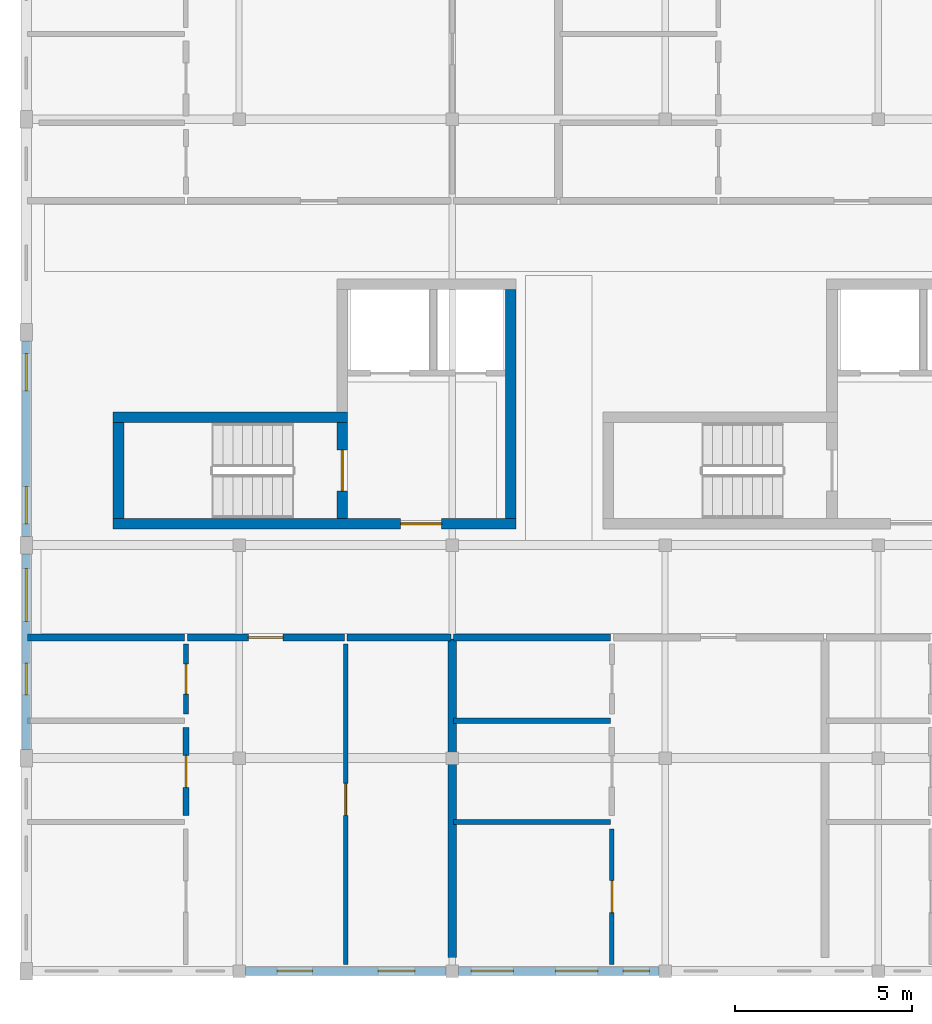
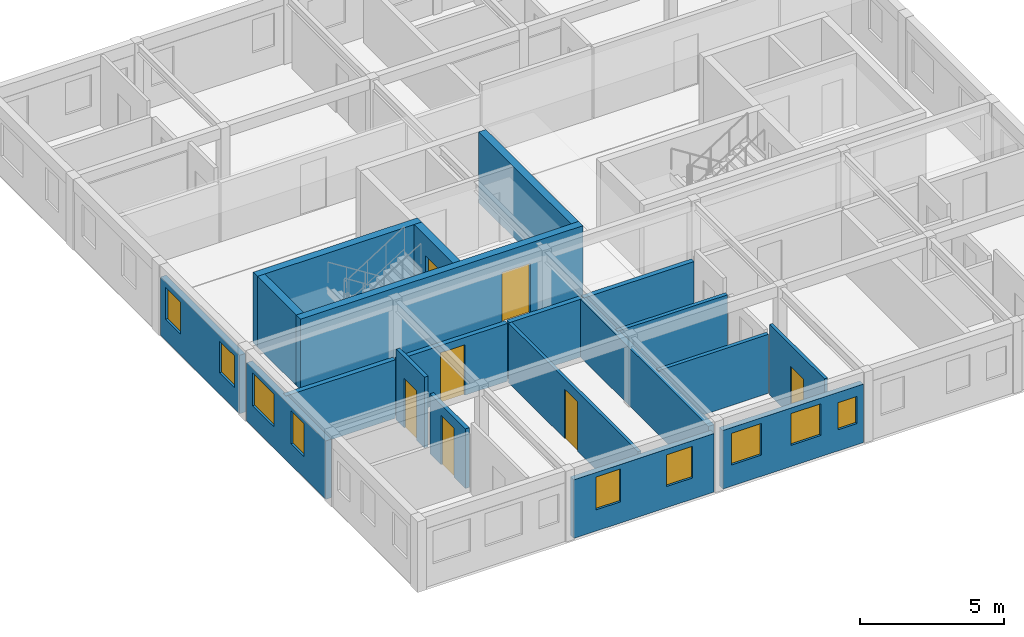
# One storey, part 2 of 7: 20 walls, 9 windows, 7 doors, 16 openings.
"""IFC4 building model written with IfcOpenShell, lengths in metres."""

import ifcopenshell
import ifcopenshell.guid

model = None  # the IFC model being written
_history = None  # IfcOwnerHistory: only IFC2X3 demands one
_inside = {}  # id of a spatial element -> (the spatial element, [elements in it])
_under = {}  # id of a project, library or spatial element -> (it, [spatial elements below it])
_declared = {}  # id of a project -> (the project, [libraries it declares])
_typed = {}  # id of a type object -> (the type object, [elements of that type])
_made_of = {}  # id of a material, layer set ... -> (it, [elements and type objects made of it])


def new_model(schema):
    """Start an empty IFC model of exactly this schema.

    Asked for "IFC4X3", IfcOpenShell would pick the latest addendum, in which some entities
    have other attributes; the version numbers below select the first issue.
    IFC2X3 requires an IfcOwnerHistory on every rooted entity: one is made here for all.
    """
    global model, _history
    if schema == "IFC4X3":
        model = ifcopenshell.file(schema_version=(4, 3, 0, 0))
    else:
        model = ifcopenshell.file(schema=schema)
    _inside.clear()
    _under.clear()
    _declared.clear()
    _typed.clear()
    _made_of.clear()
    _history = None
    if model.schema == "IFC2X3":
        org = make("IfcOrganization", Name="unknown")
        user = make(
            "IfcPersonAndOrganization",
            ThePerson=make("IfcPerson", FamilyName="unknown"),
            TheOrganization=org,
        )
        app = make(
            "IfcApplication",
            ApplicationDeveloper=org,
            Version="unknown",
            ApplicationFullName="unknown",
            ApplicationIdentifier="unknown",
        )
        _history = make(
            "IfcOwnerHistory",
            OwningUser=user,
            OwningApplication=app,
            ChangeAction="ADDED",
            CreationDate=0,
        )
    return model


def make(cls, **values):
    """One entity of the class cls with the attributes given. An attribute that is None is left unset."""
    return model.create_entity(
        cls, **{name: value for name, value in values.items() if value is not None}
    )


def rooted(cls, **values):
    """An entity with a GlobalId (a new one), such as an element, a storey or a relation."""
    return make(cls, GlobalId=ifcopenshell.guid.new(), OwnerHistory=_history, **values)


def si_unit(unit_type, name, prefix=None):
    """IfcSIUnit, for example si_unit("LENGTHUNIT", "METRE", prefix="MILLI")."""
    return make("IfcSIUnit", UnitType=unit_type, Prefix=prefix, Name=name)


def assignment(units):
    """IfcUnitAssignment: the units of a project."""
    return None if units is None else make("IfcUnitAssignment", Units=units)


def point(xyz):
    """IfcCartesianPoint."""
    return None if xyz is None else make("IfcCartesianPoint", Coordinates=xyz)


def direction(xyz):
    """IfcDirection."""
    return None if xyz is None else make("IfcDirection", DirectionRatios=xyz)


def frame(location, z_axis=None, x_axis=None):
    """IfcAxis2Placement3D, a coordinate frame: its origin and axes. An axis left out is left unset."""
    return make(
        "IfcAxis2Placement3D",
        Location=point(location),
        Axis=direction(z_axis),
        RefDirection=direction(x_axis),
    )


def frame_2d(location, x_axis=None):
    """IfcAxis2Placement2D, a coordinate frame in the plane: its origin and x axis."""
    return make(
        "IfcAxis2Placement2D", Location=point(location), RefDirection=direction(x_axis)
    )


def origin():
    """The frame at (0, 0, 0) with its axes left unset."""
    return frame((0.0, 0.0, 0.0))


def place(relative_to, where):
    """IfcLocalPlacement: puts the frame where relative to a parent placement (None: the world)."""
    return make(
        "IfcLocalPlacement", PlacementRelTo=relative_to, RelativePlacement=where
    )


def context(
    kind, dimensions, precision=None, world=None, true_north=None, identifier=None
):
    """IfcGeometricRepresentationContext, for example the 3D "Model" context."""
    return make(
        "IfcGeometricRepresentationContext",
        ContextIdentifier=identifier,
        ContextType=kind,
        CoordinateSpaceDimension=dimensions,
        Precision=precision,
        WorldCoordinateSystem=world,
        TrueNorth=true_north,
    )


def subcontext(parent, identifier, kind, view, scale=None):
    """IfcGeometricRepresentationSubContext, for example "Body" below "Model"."""
    return make(
        "IfcGeometricRepresentationSubContext",
        ContextIdentifier=identifier,
        ContextType=kind,
        ParentContext=parent,
        TargetScale=scale,
        TargetView=view,
    )


def project(units=None, contexts=None):
    """IfcProject with its units and contexts."""
    return rooted(
        "IfcProject",
        Name="project",
        RepresentationContexts=contexts,
        UnitsInContext=assignment(units),
    )


def spatial(cls, under=None, at=None, **own):
    """A site, building, storey or space (cls), placed at a placement, below another one or the project."""
    s = rooted(cls, ObjectPlacement=at, **own)
    if under is not None:
        _under.setdefault(under.id(), (under, []))[1].append(s)
    return s


def profile(cls, at=None, kind="AREA", **sizes):
    """A parametric profile (cls). Its sizes go by their IFC names, for example OverallWidth=200.0."""
    return make(cls, ProfileType=kind, Position=at, **sizes)


def rectangle(**sizes):
    """IfcRectangleProfileDef."""
    return profile("IfcRectangleProfileDef", **sizes)


def extrude(swept, where, along, depth):
    """IfcExtrudedAreaSolid: the profile swept, set in the frame where, extruded along a direction by depth."""
    return make(
        "IfcExtrudedAreaSolid",
        SweptArea=swept,
        Position=where,
        ExtrudedDirection=direction(along),
        Depth=depth,
    )


def shape(context_of_items, identifier, shape_type, items):
    """IfcShapeRepresentation: the items that make up one representation, for example the "Body"."""
    return make(
        "IfcShapeRepresentation",
        ContextOfItems=context_of_items,
        RepresentationIdentifier=identifier,
        RepresentationType=shape_type,
        Items=items,
    )


def material(Name=None, Category=None):
    """IfcMaterial."""
    return make("IfcMaterial", Name=Name, Category=Category)


def layer(
    of_material, thickness, ventilated=None, Name=None, Category=None, Priority=None
):
    """IfcMaterialLayer: one layer of a wall or slab, of a material (None: an air gap)."""
    return make(
        "IfcMaterialLayer",
        Material=of_material,
        LayerThickness=thickness,
        IsVentilated=ventilated,
        Name=Name,
        Category=Category,
        Priority=Priority,
    )


def layer_set(layers, Name=None):
    """IfcMaterialLayerSet."""
    return make("IfcMaterialLayerSet", MaterialLayers=layers, LayerSetName=Name)


def made_of(thing, what):
    """Note that an element or type object is made of a material, layer set ...; save() writes the relation."""
    if what is not None:
        _made_of.setdefault(what.id(), (what, []))[1].append(thing)
    return thing


def type_object(cls, material=None, **own):
    """A type object (cls), such as IfcWallType, which elements share."""
    return made_of(rooted(cls, **own), material)


def element(
    cls,
    number,
    at=None,
    inside=None,
    cuts=None,
    type_object=None,
    material=None,
    context=None,
    identifier="Body",
    shape_type=None,
    held_by="IfcProductDefinitionShape",
    body=None,
    shapes=None,
    **own,
):
    """One element of the class cls, such as IfcWall. Its Tag is "e" and its number.

    at: its placement. inside: the storey or other place that contains it. cuts: it is an
    opening in that element (IfcRelVoidsElement). A single representation is given by context,
    identifier, shape_type and body (its items); several are given by shapes. held_by: the class
    of the entity that holds the representations. save() writes the other relations.
    """
    e = rooted(cls, Tag="e%d" % number, ObjectPlacement=at, **own)
    if body is not None:
        shapes = [shape(context, identifier, shape_type, body)]
    if shapes is not None:
        e.Representation = make(held_by, Representations=shapes)
    if inside is not None:
        _inside.setdefault(inside.id(), (inside, []))[1].append(e)
    if cuts is not None:
        rooted(
            "IfcRelVoidsElement", RelatingBuildingElement=cuts, RelatedOpeningElement=e
        )
    if type_object is not None:
        _typed.setdefault(type_object.id(), (type_object, []))[1].append(e)
    return made_of(e, material)


def fill(opening, filler):
    """IfcRelFillsElement: the door or window that sits in an opening."""
    return rooted(
        "IfcRelFillsElement",
        RelatingOpeningElement=opening,
        RelatedBuildingElement=filler,
    )


def aggregate(whole, parts):
    """IfcRelAggregates: a whole, such as a stair, and the parts it consists of."""
    return rooted("IfcRelAggregates", RelatingObject=whole, RelatedObjects=parts)


def save(model, path):
    """Write the relations noted so far, then the file.

    IfcRelAggregates (storeys below a building ...), IfcRelContainedInSpatialStructure (elements
    in a storey), IfcRelDefinesByType, IfcRelAssociatesMaterial and IfcRelDeclares: one each for
    every whole, place, type object, material and project.
    """
    for whole, parts in _under.values():
        aggregate(whole, parts)
    for where, things in _inside.values():
        rooted(
            "IfcRelContainedInSpatialStructure",
            RelatedElements=things,
            RelatingStructure=where,
        )
    for kind, things in _typed.values():
        rooted("IfcRelDefinesByType", RelatedObjects=things, RelatingType=kind)
    for what, things in _made_of.values():
        rooted("IfcRelAssociatesMaterial", RelatedObjects=things, RelatingMaterial=what)
    for by, libraries in _declared.values():
        rooted("IfcRelDeclares", RelatingContext=by, RelatedDefinitions=libraries)
    model.write(path)


model = new_model("IFC4")

# Units and contexts
model_context = context("Model", 3, precision=1e-05, world=origin(), true_north=direction((0.0, 1.0)))
body_context = subcontext(model_context, "Body", "Model", "MODEL_VIEW")
ifc_project = project(units=[si_unit("LENGTHUNIT", "METRE"), si_unit("AREAUNIT", "SQUARE_METRE"), si_unit("VOLUMEUNIT", "CUBIC_METRE"), si_unit("PLANEANGLEUNIT", "RADIAN"), si_unit("MASSUNIT", "GRAM", prefix="KILO"), si_unit("POWERUNIT", "WATT"), si_unit("THERMODYNAMICTEMPERATUREUNIT", "KELVIN")], contexts=[model_context])

# Site, building, storey
site_placement = place(None, origin())
site = spatial("IfcSite", under=ifc_project, at=site_placement, CompositionType="ELEMENT")
building_placement = place(site_placement, origin())
building = spatial("IfcBuilding", under=site, at=building_placement, Name="Ruvembo Vaulted Housing Court", CompositionType="ELEMENT")
storey_placement = place(building_placement, frame((0.0, 0.0, 42.89990234375)))
storey = spatial("IfcBuildingStorey", under=building, at=storey_placement, Name="L13", CompositionType="ELEMENT", Elevation=42.89990234375)

# Wall, opening, door
ifc_material_1 = material(Name="Concrete C35/45", Category="concrete")
ifc_layer_1 = layer(ifc_material_1, 0.300048828125, Name="Concrete C35/45")
ifc_layer_set_1 = layer_set([ifc_layer_1], Name="Concrete C35/45")
wall_type_1 = type_object("IfcWallType", Name="WL-CORE-300", PredefinedType="SHEAR", material=ifc_layer_set_1)
wall_1_placement = place(storey_placement, frame((2.449951171875, 18.60009765625, 0.0), z_axis=(0.0, 0.0, 1.0), x_axis=(1.0, 0.0, 0.0)))
wall_1 = element("IfcWall", 1, at=wall_1_placement, inside=storey, type_object=wall_type_1, Name="Core A1 L13 South Shear Wall", PredefinedType="SHEAR", context=body_context, shape_type="SweptSolid", body=[
    extrude(rectangle(XDim=11.35009765625, YDim=0.300048828125, at=frame_2d((5.675048828125, 0.0))), origin(), (0.0, 0.0, 1.0), 3.005126953125),
])
opening_1_placement = place(wall_1_placement, frame((8.10009765625, 0.0, 0.0)))
opening_1 = element("IfcOpeningElement", 2, at=opening_1_placement, cuts=wall_1, Name="Opening LD0", PredefinedType="OPENING", context=body_context, shape_type="SweptSolid", body=[
    extrude(rectangle(XDim=1.14990234375, YDim=2.14990234375, at=frame_2d((0.574951171875, 1.074951171875))), frame((0.0, 0.159912109375, 0.0), z_axis=(0.0, -1.0, 0.0), x_axis=(1.0, 0.0, 0.0)), (0.0, 0.0, 1.0), 0.320068359375),
])
ifc_material_2 = material(Name="Galvanised Painted Steel", Category="steel")
door_type_1 = type_object("IfcDoorType", Name="DR-LOB-1150x2150", OperationType="NOTDEFINED", PredefinedType="DOOR", material=ifc_material_2)
door_1_placement = place(opening_1_placement, origin())
door_1 = element("IfcDoor", 3, at=door_1_placement, inside=storey, type_object=door_type_1, Name="Core A1 L13 Lobby Fire Door", OperationType="SINGLE_SWING_LEFT", OverallHeight=2.14990234375, OverallWidth=1.14990234375, PredefinedType="DOOR", context=body_context, shape_type="SweptSolid", body=[
    extrude(rectangle(XDim=1.14990234375, YDim=2.14990234375, at=frame_2d((0.574951171875, 1.074951171875))), frame((0.0, 0.02490234375, 0.0), z_axis=(0.0, -1.0, 0.0), x_axis=(1.0, 0.0, 0.0)), (0.0, 0.0, 1.0), 0.050048828125),
])
fill(opening_1, door_1)

# Walls
wall_2_placement = place(storey_placement, frame((9.050048828125, 21.60009765625, 0.0), z_axis=(0.0, 0.0, 1.0), x_axis=(-1.0, 0.0, 0.0)))
element("IfcWall", 4, at=wall_2_placement, inside=storey, type_object=wall_type_1, Name="Core A1 L13 Stair North Shear Wall", PredefinedType="SHEAR", context=body_context, shape_type="SweptSolid", body=[
    extrude(rectangle(XDim=6.60009765625, YDim=0.300048828125, at=frame_2d((3.300048828125, 0.0))), origin(), (0.0, 0.0, 1.0), 3.005126953125),
])
wall_3_placement = place(storey_placement, frame((2.60009765625, 21.449951171875, 0.0), z_axis=(0.0, 0.0, 1.0), x_axis=(0.0, -1.0, 0.0)))
element("IfcWall", 5, at=wall_3_placement, inside=storey, type_object=wall_type_1, Name="Core A1 L13 Stair West Shear Wall", PredefinedType="SHEAR", context=body_context, shape_type="SweptSolid", body=[
    extrude(rectangle(XDim=2.699951171875, YDim=0.300048828125, at=frame_2d((1.35009765625, 0.0))), origin(), (0.0, 0.0, 1.0), 3.005126953125),
])

# Wall, opening, door
wall_4_placement = place(storey_placement, frame((8.89990234375, 18.75, 0.0), z_axis=(0.0, 0.0, 1.0), x_axis=(0.0, 1.0, 0.0)))
wall_4 = element("IfcWall", 6, at=wall_4_placement, inside=storey, type_object=wall_type_1, Name="Core A1 L13 Stair-Lobby Shear Wall", PredefinedType="SHEAR", context=body_context, shape_type="SweptSolid", body=[
    extrude(rectangle(XDim=2.699951171875, YDim=0.300048828125, at=frame_2d((1.35009765625, 0.0))), origin(), (0.0, 0.0, 1.0), 3.005126953125),
])
opening_2_placement = place(wall_4_placement, frame((0.77490234375, 0.0, 0.0)))
opening_2 = element("IfcOpeningElement", 7, at=opening_2_placement, cuts=wall_4, Name="Opening SD1", PredefinedType="OPENING", context=body_context, shape_type="SweptSolid", body=[
    extrude(rectangle(XDim=1.14990234375, YDim=2.14990234375, at=frame_2d((0.574951171875, 1.074951171875))), frame((0.0, 0.159912109375, 0.0), z_axis=(0.0, -1.0, 0.0), x_axis=(1.0, 0.0, 0.0)), (0.0, 0.0, 1.0), 0.320068359375),
])
door_type_2 = type_object("IfcDoorType", Name="DR-STAIR-1150x2150", OperationType="NOTDEFINED", PredefinedType="DOOR", material=ifc_material_2)
door_2_placement = place(opening_2_placement, origin())
door_2 = element("IfcDoor", 8, at=door_2_placement, inside=storey, type_object=door_type_2, Name="Stair ST-A1 L13 Fire Door", OperationType="SINGLE_SWING_RIGHT", OverallHeight=2.14990234375, OverallWidth=1.14990234375, PredefinedType="DOOR", context=body_context, shape_type="SweptSolid", body=[
    extrude(rectangle(XDim=1.14990234375, YDim=2.14990234375, at=frame_2d((0.574951171875, 1.074951171875))), frame((0.0, 0.02490234375, 0.0), z_axis=(0.0, -1.0, 0.0), x_axis=(1.0, 0.0, 0.0)), (0.0, 0.0, 1.0), 0.050048828125),
])
fill(opening_2, door_2)

# Walls
wall_5_placement = place(storey_placement, frame((13.64990234375, 18.75, 0.0), z_axis=(0.0, 0.0, 1.0), x_axis=(0.0, 1.0, 0.0)))
element("IfcWall", 9, at=wall_5_placement, inside=storey, type_object=wall_type_1, Name="Core A1 L13 East Shear Wall", PredefinedType="SHEAR", context=body_context, shape_type="SweptSolid", body=[
    extrude(rectangle(XDim=6.449951171875, YDim=0.300048828125, at=frame_2d((3.22509765625, 0.0))), origin(), (0.0, 0.0, 1.0), 3.005126953125),
])
ifc_material_3 = material(Name="Concrete Blockwork 190", Category="masonry")
ifc_layer_2 = layer(ifc_material_3, 0.18994140625, Name="Concrete Blockwork 190")
ifc_layer_set_2 = layer_set([ifc_layer_2], Name="Concrete Blockwork 190")
wall_type_2 = type_object("IfcWallType", Name="WL-CORR-190", PredefinedType="SOLIDWALL", material=ifc_layer_set_2)
wall_6_placement = place(storey_placement, frame((0.0400390625, 15.39990234375, 0.0), z_axis=(0.0, 0.0, 1.0), x_axis=(1.0, 0.0, 0.0)))
element("IfcWall", 10, at=wall_6_placement, inside=storey, type_object=wall_type_2, Name="L13 Flat A-L13-S1 Corridor Wall WL-INT-L13-02351", PredefinedType="SOLIDWALL", context=body_context, shape_type="SweptSolid", body=[
    extrude(rectangle(XDim=4.419921875, YDim=0.18994140625, at=frame_2d((2.2099609375, 0.0))), origin(), (0.0, 0.0, 1.0), 2.487060546875),
])

# Wall, opening, door
wall_7_placement = place(storey_placement, frame((4.5400390625, 15.39990234375, 0.0), z_axis=(0.0, 0.0, 1.0), x_axis=(1.0, 0.0, 0.0)))
wall_7 = element("IfcWall", 11, at=wall_7_placement, inside=storey, type_object=wall_type_2, Name="L13 Flat A-L13-S1 Entrance WL-INT-L13-02352", PredefinedType="SOLIDWALL", context=body_context, shape_type="SweptSolid", body=[
    extrude(rectangle(XDim=4.419921875, YDim=0.18994140625, at=frame_2d((2.2099609375, 0.0))), origin(), (0.0, 0.0, 1.0), 2.4580078125),
])
opening_3_placement = place(wall_7_placement, frame((1.719970703125, 0.0, 0.0)))
opening_3 = element("IfcOpeningElement", 12, at=opening_3_placement, cuts=wall_7, Name="Opening FD2", PredefinedType="OPENING", context=body_context, shape_type="SweptSolid", body=[
    extrude(rectangle(XDim=0.97998046875, YDim=2.14990234375, at=frame_2d((0.489990234375, 1.074951171875))), frame((0.0, 0.10498046875, 0.0), z_axis=(0.0, -1.0, 0.0), x_axis=(1.0, 0.0, 0.0)), (0.0, 0.0, 1.0), 0.2099609375),
])
ifc_material_4 = material(Name="FSC Hardwood and Engineered Timber", Category="wood")
door_type_3 = type_object("IfcDoorType", Name="DR-FLAT-0980x2150", OperationType="NOTDEFINED", PredefinedType="DOOR", material=ifc_material_4)
door_3_placement = place(opening_3_placement, origin())
door_3 = element("IfcDoor", 13, at=door_3_placement, inside=storey, type_object=door_type_3, Name="L13 Flat A-L13-S1 Entrance Door DR-INT-L13-01300", OperationType="SINGLE_SWING_RIGHT", OverallHeight=2.14990234375, OverallWidth=0.97998046875, PredefinedType="DOOR", context=body_context, shape_type="SweptSolid", body=[
    extrude(rectangle(XDim=0.97998046875, YDim=2.14990234375, at=frame_2d((0.489990234375, 1.074951171875))), frame((0.0, 0.02490234375, 0.0), z_axis=(0.0, -1.0, 0.0), x_axis=(1.0, 0.0, 0.0)), (0.0, 0.0, 1.0), 0.050048828125),
])
fill(opening_3, door_3)

# Walls
wall_8_placement = place(storey_placement, frame((9.0400390625, 15.39990234375, 0.0), z_axis=(0.0, 0.0, 1.0), x_axis=(1.0, 0.0, 0.0)))
element("IfcWall", 14, at=wall_8_placement, inside=storey, type_object=wall_type_2, Name="L13 Flat A-L13-S1 Corridor Wall 2 WL-INT-L13-02358", PredefinedType="SOLIDWALL", context=body_context, shape_type="SweptSolid", body=[
    extrude(rectangle(XDim=2.919921875, YDim=0.18994140625, at=frame_2d((1.4599609375, 0.0))), origin(), (0.0, 0.0, 1.0), 2.4580078125),
])
wall_9_placement = place(storey_placement, frame((12.0400390625, 15.39990234375, 0.0), z_axis=(0.0, 0.0, 1.0), x_axis=(1.0, 0.0, 0.0)))
element("IfcWall", 15, at=wall_9_placement, inside=storey, type_object=wall_type_2, Name="L13 Flat A-L13-S2 Corridor Wall WL-INT-L13-02361", PredefinedType="SOLIDWALL", context=body_context, shape_type="SweptSolid", body=[
    extrude(rectangle(XDim=4.419921875, YDim=0.18994140625, at=frame_2d((2.2099609375, 0.0))), origin(), (0.0, 0.0, 1.0), 2.4580078125),
])
ifc_material_5 = material(Name="Acoustic Masonry Demising 230", Category="masonry")
ifc_layer_3 = layer(ifc_material_5, 0.22998046875, Name="Acoustic Masonry Demising 230")
ifc_layer_set_3 = layer_set([ifc_layer_3], Name="Acoustic Masonry Demising 230")
wall_type_3 = type_object("IfcWallType", Name="WL-DEM-230", PredefinedType="SOLIDWALL", material=ifc_layer_set_3)
wall_10_placement = place(storey_placement, frame((12.0, 6.389892578125, 0.0), z_axis=(0.0, 0.0, 1.0), x_axis=(0.0, 1.0, 0.0)))
element("IfcWall", 16, at=wall_10_placement, inside=storey, type_object=wall_type_3, Name="L13 Demising A-L13-S1 WL-INT-L13-02350", PredefinedType="SOLIDWALL", context=body_context, shape_type="SweptSolid", body=[
    extrude(rectangle(XDim=8.97021484375, YDim=0.22998046875, at=frame_2d((4.485107421875, 0.0))), origin(), (0.0, 0.0, 1.0), 2.4580078125),
])

# Wall, openings, windows
ifc_material_6 = material(Name="Rendered Masonry 235", Category="masonry")
ifc_layer_4 = layer(ifc_material_6, 0.235107421875, Name="Rendered Masonry 235")
ifc_layer_set_4 = layer_set([ifc_layer_4], Name="Rendered Masonry 235")
wall_type_4 = type_object("IfcWallType", Name="WL-EXT-235", PredefinedType="STANDARD", material=ifc_layer_set_4)
wall_11_placement = place(storey_placement, frame((6.175048828125, 6.0, 0.0), z_axis=(0.0, 0.0, 1.0), x_axis=(1.0, 0.0, 0.0)))
wall_11 = element("IfcWall", 17, at=wall_11_placement, inside=storey, type_object=wall_type_4, Name="Block A L13 Exterior Wall STREET #2", PredefinedType="STANDARD", context=body_context, shape_type="SweptSolid", body=[
    extrude(rectangle(XDim=5.64990234375, YDim=0.235107421875, at=frame_2d((2.824951171875, 0.0))), origin(), (0.0, 0.0, 1.0), 2.487060546875),
])
opening_4_placement = place(wall_11_placement, frame((0.892578125, 0.0, 0.89990234375)))
opening_4 = element("IfcOpeningElement", 18, at=opening_4_placement, cuts=wall_11, Name="Opening W08", PredefinedType="OPENING", context=body_context, shape_type="SweptSolid", body=[
    extrude(rectangle(XDim=1.0, YDim=1.39990234375, at=frame_2d((0.5, 0.699951171875))), frame((0.0, 0.12744140625, 0.0), z_axis=(0.0, -1.0, 0.0), x_axis=(1.0, 0.0, 0.0)), (0.0, 0.0, 1.0), 0.255126953125),
])
opening_5_placement = place(wall_11_placement, frame((3.732421875, 0.0, 0.89990234375)))
opening_5 = element("IfcOpeningElement", 19, at=opening_5_placement, cuts=wall_11, Name="Opening W09", PredefinedType="OPENING", context=body_context, shape_type="SweptSolid", body=[
    extrude(rectangle(XDim=1.050048828125, YDim=1.35009765625, at=frame_2d((0.52490234375, 0.675048828125))), frame((0.0, 0.12744140625, 0.0), z_axis=(0.0, -1.0, 0.0), x_axis=(1.0, 0.0, 0.0)), (0.0, 0.0, 1.0), 0.255126953125),
])
ifc_material_7 = material(Name="Double Solar-Control Glazing in Aluminium Frame", Category="aluminium")
window_type_1 = type_object("IfcWindowType", Name="WIN-1000x1400", PartitioningType="SINGLE_PANEL", PredefinedType="WINDOW", material=ifc_material_7)
window_1_placement = place(opening_4_placement, origin())
window_1 = element("IfcWindow", 20, at=window_1_placement, inside=storey, type_object=window_type_1, Name="Block A L13 Window #560", OverallHeight=1.39990234375, OverallWidth=1.0, PartitioningType="SINGLE_PANEL", PredefinedType="WINDOW", context=body_context, shape_type="SweptSolid", body=[
    extrude(rectangle(XDim=1.0, YDim=1.39990234375, at=frame_2d((0.5, 0.699951171875))), frame((0.0, 0.030029296875, 0.0), z_axis=(0.0, -1.0, 0.0), x_axis=(1.0, 0.0, 0.0)), (0.0, 0.0, 1.0), 0.06005859375),
])
fill(opening_4, window_1)
window_type_2 = type_object("IfcWindowType", Name="WIN-1050x1350", PartitioningType="SINGLE_PANEL", PredefinedType="WINDOW", material=ifc_material_7)
window_2_placement = place(opening_5_placement, origin())
window_2 = element("IfcWindow", 21, at=window_2_placement, inside=storey, type_object=window_type_2, Name="Block A L13 Window #561", OverallHeight=1.35009765625, OverallWidth=1.050048828125, PartitioningType="SINGLE_PANEL", PredefinedType="WINDOW", context=body_context, shape_type="SweptSolid", body=[
    extrude(rectangle(XDim=1.050048828125, YDim=1.35009765625, at=frame_2d((0.52490234375, 0.675048828125))), frame((0.0, 0.030029296875, 0.0), z_axis=(0.0, -1.0, 0.0), x_axis=(1.0, 0.0, 0.0)), (0.0, 0.0, 1.0), 0.06005859375),
])
fill(opening_5, window_2)

wall_12_placement = place(storey_placement, frame((12.175048828125, 6.0, 0.0), z_axis=(0.0, 0.0, 1.0), x_axis=(1.0, 0.0, 0.0)))
wall_12 = element("IfcWall", 22, at=wall_12_placement, inside=storey, type_object=wall_type_4, Name="Block A L13 Exterior Wall STREET #3", PredefinedType="STANDARD", context=body_context, shape_type="SweptSolid", body=[
    extrude(rectangle(XDim=5.64990234375, YDim=0.235107421875, at=frame_2d((2.824951171875, 0.0))), origin(), (0.0, 0.0, 1.0), 2.487060546875),
])
opening_6_placement = place(wall_12_placement, frame((0.35009765625, 0.0, 0.89990234375)))
opening_6 = element("IfcOpeningElement", 23, at=opening_6_placement, cuts=wall_12, Name="Opening W12", PredefinedType="OPENING", context=body_context, shape_type="SweptSolid", body=[
    extrude(rectangle(XDim=1.199951171875, YDim=1.35009765625, at=frame_2d((0.60009765625, 0.675048828125))), frame((0.0, 0.12744140625, 0.0), z_axis=(0.0, -1.0, 0.0), x_axis=(1.0, 0.0, 0.0)), (0.0, 0.0, 1.0), 0.255126953125),
])
opening_7_placement = place(wall_12_placement, frame((2.735107421875, 0.0, 0.89990234375)))
opening_7 = element("IfcOpeningElement", 24, at=opening_7_placement, cuts=wall_12, Name="Opening W12", PredefinedType="OPENING", context=body_context, shape_type="SweptSolid", body=[
    extrude(rectangle(XDim=1.199951171875, YDim=1.35009765625, at=frame_2d((0.60009765625, 0.675048828125))), frame((0.0, 0.12744140625, 0.0), z_axis=(0.0, -1.0, 0.0), x_axis=(1.0, 0.0, 0.0)), (0.0, 0.0, 1.0), 0.255126953125),
])
opening_8_placement = place(wall_12_placement, frame((4.632568359375, 0.0, 0.89990234375)))
opening_8 = element("IfcOpeningElement", 25, at=opening_8_placement, cuts=wall_12, Name="Opening W01", PredefinedType="OPENING", context=body_context, shape_type="SweptSolid", body=[
    extrude(rectangle(XDim=0.75, YDim=1.14990234375, at=frame_2d((0.375, 0.574951171875))), frame((0.0, 0.12744140625, 0.0), z_axis=(0.0, -1.0, 0.0), x_axis=(1.0, 0.0, 0.0)), (0.0, 0.0, 1.0), 0.255126953125),
])
window_type_3 = type_object("IfcWindowType", Name="WIN-0750x1150", PartitioningType="SINGLE_PANEL", PredefinedType="WINDOW", material=ifc_material_7)
window_3_placement = place(opening_8_placement, origin())
window_3 = element("IfcWindow", 26, at=window_3_placement, inside=storey, type_object=window_type_3, Name="Block A L13 Window #564", OverallHeight=1.14990234375, OverallWidth=0.75, PartitioningType="SINGLE_PANEL", PredefinedType="WINDOW", context=body_context, shape_type="SweptSolid", body=[
    extrude(rectangle(XDim=0.75, YDim=1.14990234375, at=frame_2d((0.375, 0.574951171875))), frame((0.0, 0.030029296875, 0.0), z_axis=(0.0, -1.0, 0.0), x_axis=(1.0, 0.0, 0.0)), (0.0, 0.0, 1.0), 0.06005859375),
])
fill(opening_8, window_3)
window_type_4 = type_object("IfcWindowType", Name="WIN-1200x1350", PartitioningType="SINGLE_PANEL", PredefinedType="WINDOW", material=ifc_material_7)
window_4_placement = place(opening_6_placement, origin())
window_4 = element("IfcWindow", 27, at=window_4_placement, inside=storey, type_object=window_type_4, Name="Block A L13 Window #562", OverallHeight=1.35009765625, OverallWidth=1.199951171875, PartitioningType="SINGLE_PANEL", PredefinedType="WINDOW", context=body_context, shape_type="SweptSolid", body=[
    extrude(rectangle(XDim=1.199951171875, YDim=1.35009765625, at=frame_2d((0.60009765625, 0.675048828125))), frame((0.0, 0.030029296875, 0.0), z_axis=(0.0, -1.0, 0.0), x_axis=(1.0, 0.0, 0.0)), (0.0, 0.0, 1.0), 0.06005859375),
])
fill(opening_6, window_4)
window_5_placement = place(opening_7_placement, origin())
window_5 = element("IfcWindow", 28, at=window_5_placement, inside=storey, type_object=window_type_4, Name="Block A L13 Window #563", OverallHeight=1.35009765625, OverallWidth=1.199951171875, PartitioningType="SINGLE_PANEL", PredefinedType="WINDOW", context=body_context, shape_type="SweptSolid", body=[
    extrude(rectangle(XDim=1.199951171875, YDim=1.35009765625, at=frame_2d((0.60009765625, 0.675048828125))), frame((0.0, 0.030029296875, 0.0), z_axis=(0.0, -1.0, 0.0), x_axis=(1.0, 0.0, 0.0)), (0.0, 0.0, 1.0), 0.06005859375),
])
fill(opening_7, window_5)

wall_13_placement = place(storey_placement, frame((0.0, 23.75, 0.0), z_axis=(0.0, 0.0, 1.0), x_axis=(0.0, -1.0, 0.0)))
wall_13 = element("IfcWall", 29, at=wall_13_placement, inside=storey, type_object=wall_type_4, Name="Block A L13 Exterior Wall WEST #3", PredefinedType="STANDARD", context=body_context, shape_type="SweptSolid", body=[
    extrude(rectangle(XDim=5.5, YDim=0.235107421875, at=frame_2d((2.75, 0.0))), origin(), (0.0, 0.0, 1.0), 2.487060546875),
])
opening_9_placement = place(wall_13_placement, frame((0.35009765625, 0.0, 0.89990234375)))
opening_9 = element("IfcOpeningElement", 30, at=opening_9_placement, cuts=wall_13, Name="Opening W09", PredefinedType="OPENING", context=body_context, shape_type="SweptSolid", body=[
    extrude(rectangle(XDim=1.050048828125, YDim=1.35009765625, at=frame_2d((0.52490234375, 0.675048828125))), frame((0.0, 0.12744140625, 0.0), z_axis=(0.0, -1.0, 0.0), x_axis=(1.0, 0.0, 0.0)), (0.0, 0.0, 1.0), 0.255126953125),
])
opening_10_placement = place(wall_13_placement, frame((4.10009765625, 0.0, 0.89990234375)))
opening_10 = element("IfcOpeningElement", 31, at=opening_10_placement, cuts=wall_13, Name="Opening W09", PredefinedType="OPENING", context=body_context, shape_type="SweptSolid", body=[
    extrude(rectangle(XDim=1.050048828125, YDim=1.35009765625, at=frame_2d((0.52490234375, 0.675048828125))), frame((0.0, 0.12744140625, 0.0), z_axis=(0.0, -1.0, 0.0), x_axis=(1.0, 0.0, 0.0)), (0.0, 0.0, 1.0), 0.255126953125),
])
window_6_placement = place(opening_9_placement, origin())
window_6 = element("IfcWindow", 32, at=window_6_placement, inside=storey, type_object=window_type_2, Name="Block A L13 Window #597", OverallHeight=1.35009765625, OverallWidth=1.050048828125, PartitioningType="SINGLE_PANEL", PredefinedType="WINDOW", context=body_context, shape_type="SweptSolid", body=[
    extrude(rectangle(XDim=1.050048828125, YDim=1.35009765625, at=frame_2d((0.52490234375, 0.675048828125))), frame((0.0, 0.030029296875, 0.0), z_axis=(0.0, -1.0, 0.0), x_axis=(1.0, 0.0, 0.0)), (0.0, 0.0, 1.0), 0.06005859375),
])
fill(opening_9, window_6)
window_7_placement = place(opening_10_placement, origin())
window_7 = element("IfcWindow", 33, at=window_7_placement, inside=storey, type_object=window_type_2, Name="Block A L13 Window #598", OverallHeight=1.35009765625, OverallWidth=1.050048828125, PartitioningType="SINGLE_PANEL", PredefinedType="WINDOW", context=body_context, shape_type="SweptSolid", body=[
    extrude(rectangle(XDim=1.050048828125, YDim=1.35009765625, at=frame_2d((0.52490234375, 0.675048828125))), frame((0.0, 0.030029296875, 0.0), z_axis=(0.0, -1.0, 0.0), x_axis=(1.0, 0.0, 0.0)), (0.0, 0.0, 1.0), 0.06005859375),
])
fill(opening_10, window_7)

wall_14_placement = place(storey_placement, frame((0.0, 17.75, 0.0), z_axis=(0.0, 0.0, 1.0), x_axis=(0.0, -1.0, 0.0)))
wall_14 = element("IfcWall", 34, at=wall_14_placement, inside=storey, type_object=wall_type_4, Name="Block A L13 Exterior Wall WEST #4", PredefinedType="STANDARD", context=body_context, shape_type="SweptSolid", body=[
    extrude(rectangle(XDim=5.5, YDim=0.235107421875, at=frame_2d((2.75, 0.0))), origin(), (0.0, 0.0, 1.0), 2.487060546875),
])
opening_11_placement = place(wall_14_placement, frame((0.405029296875, 0.0, 0.89990234375)))
opening_11 = element("IfcOpeningElement", 35, at=opening_11_placement, cuts=wall_14, Name="Opening W18", PredefinedType="OPENING", context=body_context, shape_type="SweptSolid", body=[
    extrude(rectangle(XDim=1.5, YDim=1.39990234375, at=frame_2d((0.75, 0.699951171875))), frame((0.0, 0.12744140625, 0.0), z_axis=(0.0, -1.0, 0.0), x_axis=(1.0, 0.0, 0.0)), (0.0, 0.0, 1.0), 0.255126953125),
])
opening_12_placement = place(wall_14_placement, frame((3.074951171875, 0.0, 0.89990234375)))
opening_12 = element("IfcOpeningElement", 36, at=opening_12_placement, cuts=wall_14, Name="Opening W05", PredefinedType="OPENING", context=body_context, shape_type="SweptSolid", body=[
    extrude(rectangle(XDim=0.89990234375, YDim=1.39990234375, at=frame_2d((0.449951171875, 0.699951171875))), frame((0.0, 0.12744140625, 0.0), z_axis=(0.0, -1.0, 0.0), x_axis=(1.0, 0.0, 0.0)), (0.0, 0.0, 1.0), 0.255126953125),
])
window_type_5 = type_object("IfcWindowType", Name="WIN-0900x1400", PartitioningType="SINGLE_PANEL", PredefinedType="WINDOW", material=ifc_material_7)
window_8_placement = place(opening_12_placement, origin())
window_8 = element("IfcWindow", 37, at=window_8_placement, inside=storey, type_object=window_type_5, Name="Block A L13 Window #600", OverallHeight=1.39990234375, OverallWidth=0.89990234375, PartitioningType="SINGLE_PANEL", PredefinedType="WINDOW", context=body_context, shape_type="SweptSolid", body=[
    extrude(rectangle(XDim=0.89990234375, YDim=1.39990234375, at=frame_2d((0.449951171875, 0.699951171875))), frame((0.0, 0.030029296875, 0.0), z_axis=(0.0, -1.0, 0.0), x_axis=(1.0, 0.0, 0.0)), (0.0, 0.0, 1.0), 0.06005859375),
])
fill(opening_12, window_8)
window_type_6 = type_object("IfcWindowType", Name="WIN-1500x1400", PartitioningType="SINGLE_PANEL", PredefinedType="WINDOW", material=ifc_material_7)
window_9_placement = place(opening_11_placement, origin())
window_9 = element("IfcWindow", 38, at=window_9_placement, inside=storey, type_object=window_type_6, Name="Block A L13 Window #599", OverallHeight=1.39990234375, OverallWidth=1.5, PartitioningType="SINGLE_PANEL", PredefinedType="WINDOW", context=body_context, shape_type="SweptSolid", body=[
    extrude(rectangle(XDim=1.5, YDim=1.39990234375, at=frame_2d((0.75, 0.699951171875))), frame((0.0, 0.030029296875, 0.0), z_axis=(0.0, -1.0, 0.0), x_axis=(1.0, 0.0, 0.0)), (0.0, 0.0, 1.0), 0.06005859375),
])
fill(opening_11, window_9)

# Wall, opening, door
ifc_material_8 = material(Name="Plasterboard Stud Partition 125", Category="gypsum")
ifc_layer_5 = layer(ifc_material_8, 0.125, Name="Plasterboard Stud Partition 125")
ifc_layer_set_5 = layer_set([ifc_layer_5], Name="Plasterboard Stud Partition 125")
wall_type_5 = type_object("IfcWallType", Name="WL-PART-125", PredefinedType="PARTITIONING", material=ifc_layer_set_5)
wall_15_placement = place(storey_placement, frame((9.0, 6.18994140625, 0.0), z_axis=(0.0, 0.0, 1.0), x_axis=(0.0, 1.0, 0.0)))
wall_15 = element("IfcWall", 39, at=wall_15_placement, inside=storey, type_object=wall_type_5, Name="L13 Flat A-L13-S1 Bedroom 2 WL-INT-L13-02359", PredefinedType="PARTITIONING", context=body_context, shape_type="SweptSolid", body=[
    extrude(rectangle(XDim=9.02001953125, YDim=0.125, at=frame_2d((4.510009765625, 0.0))), origin(), (0.0, 0.0, 1.0), 2.537109375),
])
opening_13_placement = place(wall_15_placement, frame((4.199951171875, 0.0, 0.0)))
opening_13 = element("IfcOpeningElement", 40, at=opening_13_placement, cuts=wall_15, Name="Opening ID1", PredefinedType="OPENING", context=body_context, shape_type="SweptSolid", body=[
    extrude(rectangle(XDim=0.89990234375, YDim=2.10009765625, at=frame_2d((0.449951171875, 1.050048828125))), frame((0.0, 0.072509765625, 0.0), z_axis=(0.0, -1.0, 0.0), x_axis=(1.0, 0.0, 0.0)), (0.0, 0.0, 1.0), 0.14501953125),
])
door_type_4 = type_object("IfcDoorType", Name="DR-ROOM-0900x2100", OperationType="NOTDEFINED", PredefinedType="DOOR", material=ifc_material_4)
door_4_placement = place(opening_13_placement, origin())
door_4 = element("IfcDoor", 41, at=door_4_placement, inside=storey, type_object=door_type_4, Name="L13 Flat A-L13-S1 Bedroom 2 Door DR-INT-L13-01304", OperationType="SINGLE_SWING_RIGHT", OverallHeight=2.10009765625, OverallWidth=0.89990234375, PredefinedType="DOOR", context=body_context, shape_type="SweptSolid", body=[
    extrude(rectangle(XDim=0.89990234375, YDim=2.10009765625, at=frame_2d((0.449951171875, 1.050048828125))), frame((0.0, 0.02490234375, 0.0), z_axis=(0.0, -1.0, 0.0), x_axis=(1.0, 0.0, 0.0)), (0.0, 0.0, 1.0), 0.050048828125),
])
fill(opening_13, door_4)

wall_16_placement = place(storey_placement, frame((16.5, 6.18994140625, 0.0), z_axis=(0.0, 0.0, 1.0), x_axis=(0.0, 1.0, 0.0)))
wall_16 = element("IfcWall", 42, at=wall_16_placement, inside=storey, type_object=wall_type_5, Name="L13 Flat A-L13-S2 Bedroom 1 WL-INT-L13-02363", PredefinedType="PARTITIONING", context=body_context, shape_type="SweptSolid", body=[
    extrude(rectangle(XDim=3.820068359375, YDim=0.125, at=frame_2d((1.91015625, 0.0))), origin(), (0.0, 0.0, 1.0), 3.005126953125),
])
opening_14_placement = place(wall_16_placement, frame((1.4599609375, 0.0, 0.0)))
opening_14 = element("IfcOpeningElement", 43, at=opening_14_placement, cuts=wall_16, Name="Opening ID1", PredefinedType="OPENING", context=body_context, shape_type="SweptSolid", body=[
    extrude(rectangle(XDim=0.89990234375, YDim=2.10009765625, at=frame_2d((0.449951171875, 1.050048828125))), frame((0.0, 0.072509765625, 0.0), z_axis=(0.0, -1.0, 0.0), x_axis=(1.0, 0.0, 0.0)), (0.0, 0.0, 1.0), 0.14501953125),
])
door_5_placement = place(opening_14_placement, origin())
door_5 = element("IfcDoor", 44, at=door_5_placement, inside=storey, type_object=door_type_4, Name="L13 Flat A-L13-S2 Bedroom 1 Door DR-INT-L13-01306", OperationType="SINGLE_SWING_RIGHT", OverallHeight=2.10009765625, OverallWidth=0.89990234375, PredefinedType="DOOR", context=body_context, shape_type="SweptSolid", body=[
    extrude(rectangle(XDim=0.89990234375, YDim=2.10009765625, at=frame_2d((0.449951171875, 1.050048828125))), frame((0.0, 0.02490234375, 0.0), z_axis=(0.0, -1.0, 0.0), x_axis=(1.0, 0.0, 0.0)), (0.0, 0.0, 1.0), 0.050048828125),
])
fill(opening_14, door_5)

ifc_material_9 = material(Name="Moisture-Resistant Wet Partition 150", Category="gypsum")
ifc_layer_6 = layer(ifc_material_9, 0.14990234375, Name="Moisture-Resistant Wet Partition 150")
ifc_layer_set_6 = layer_set([ifc_layer_6], Name="Moisture-Resistant Wet Partition 150")
wall_type_6 = type_object("IfcWallType", Name="WL-PART-150", PredefinedType="PARTITIONING", material=ifc_layer_set_6)
wall_17_placement = place(storey_placement, frame((4.5, 13.239990234375, 0.0), z_axis=(0.0, 0.0, 1.0), x_axis=(0.0, 1.0, 0.0)))
wall_17 = element("IfcWall", 45, at=wall_17_placement, inside=storey, type_object=wall_type_6, Name="L13 Flat A-L13-S1 Bathroom WL-INT-L13-02355", PredefinedType="PARTITIONING", context=body_context, shape_type="SweptSolid", body=[
    extrude(rectangle(XDim=1.969970703125, YDim=0.14990234375, at=frame_2d((0.98486328125, 0.0))), origin(), (0.0, 0.0, 1.0), 3.005126953125),
])
opening_15_placement = place(wall_17_placement, frame((0.56005859375, 0.0, 0.0)))
opening_15 = element("IfcOpeningElement", 46, at=opening_15_placement, cuts=wall_17, Name="Opening ID2", PredefinedType="OPENING", context=body_context, shape_type="SweptSolid", body=[
    extrude(rectangle(XDim=0.85009765625, YDim=2.10009765625, at=frame_2d((0.425048828125, 1.050048828125))), frame((0.0, 0.0849609375, 0.0), z_axis=(0.0, -1.0, 0.0), x_axis=(1.0, 0.0, 0.0)), (0.0, 0.0, 1.0), 0.169921875),
])
door_type_5 = type_object("IfcDoorType", Name="DR-WET-0850x2100", OperationType="NOTDEFINED", PredefinedType="DOOR", material=ifc_material_4)
door_6_placement = place(opening_15_placement, origin())
door_6 = element("IfcDoor", 47, at=door_6_placement, inside=storey, type_object=door_type_5, Name="L13 Flat A-L13-S1 Bathroom Door DR-INT-L13-01303", OperationType="SINGLE_SWING_LEFT", OverallHeight=2.10009765625, OverallWidth=0.85009765625, PredefinedType="DOOR", context=body_context, shape_type="SweptSolid", body=[
    extrude(rectangle(XDim=0.85009765625, YDim=2.10009765625, at=frame_2d((0.425048828125, 1.050048828125))), frame((0.0, 0.02490234375, 0.0), z_axis=(0.0, -1.0, 0.0), x_axis=(1.0, 0.0, 0.0)), (0.0, 0.0, 1.0), 0.050048828125),
])
fill(opening_15, door_6)

# Walls
wall_18_placement = place(storey_placement, frame((12.0400390625, 10.199951171875, 0.0), z_axis=(0.0, 0.0, 1.0), x_axis=(1.0, 0.0, 0.0)))
element("IfcWall", 48, at=wall_18_placement, inside=storey, type_object=wall_type_6, Name="L13 Flat A-L13-S2 Wet Wall 1 WL-INT-L13-02366", PredefinedType="PARTITIONING", context=body_context, shape_type="SweptSolid", body=[
    extrude(rectangle(XDim=4.419921875, YDim=0.14990234375, at=frame_2d((2.2099609375, 0.0))), origin(), (0.0, 0.0, 1.0), 2.508056640625),
])
wall_19_placement = place(storey_placement, frame((12.0400390625, 13.050048828125, 0.0), z_axis=(0.0, 0.0, 1.0), x_axis=(1.0, 0.0, 0.0)))
element("IfcWall", 49, at=wall_19_placement, inside=storey, type_object=wall_type_6, Name="L13 Flat A-L13-S2 Wet Wall 2 WL-INT-L13-02367", PredefinedType="PARTITIONING", context=body_context, shape_type="SweptSolid", body=[
    extrude(rectangle(XDim=4.419921875, YDim=0.14990234375, at=frame_2d((2.2099609375, 0.0))), origin(), (0.0, 0.0, 1.0), 2.4580078125),
])

# Wall, opening, door
ifc_material_10 = material(Name="Acoustic Service Chase Wall 160", Category="gypsum")
ifc_layer_7 = layer(ifc_material_10, 0.159912109375, Name="Acoustic Service Chase Wall 160")
ifc_layer_set_7 = layer_set([ifc_layer_7], Name="Acoustic Service Chase Wall 160")
wall_type_7 = type_object("IfcWallType", Name="WL-PLUMB-160", PredefinedType="PLUMBINGWALL", material=ifc_layer_set_7)
wall_20_placement = place(storey_placement, frame((4.5, 10.389892578125, 0.0), z_axis=(0.0, 0.0, 1.0), x_axis=(0.0, 1.0, 0.0)))
wall_20 = element("IfcWall", 50, at=wall_20_placement, inside=storey, type_object=wall_type_7, Name="L13 Flat A-L13-S1 Kitchen WL-INT-L13-02354", PredefinedType="PLUMBINGWALL", context=body_context, shape_type="SweptSolid", body=[
    extrude(rectangle(XDim=2.47021484375, YDim=0.159912109375, at=frame_2d((1.235107421875, 0.0))), origin(), (0.0, 0.0, 1.0), 2.537109375),
])
opening_16_placement = place(wall_20_placement, frame((0.784912109375, 0.0, 0.0)))
opening_16 = element("IfcOpeningElement", 51, at=opening_16_placement, cuts=wall_20, Name="Opening ID1", PredefinedType="OPENING", context=body_context, shape_type="SweptSolid", body=[
    extrude(rectangle(XDim=0.89990234375, YDim=2.10009765625, at=frame_2d((0.449951171875, 1.050048828125))), frame((0.0, 0.08984375, 0.0), z_axis=(0.0, -1.0, 0.0), x_axis=(1.0, 0.0, 0.0)), (0.0, 0.0, 1.0), 0.179931640625),
])
door_7_placement = place(opening_16_placement, origin())
door_7 = element("IfcDoor", 52, at=door_7_placement, inside=storey, type_object=door_type_4, Name="L13 Flat A-L13-S1 Kitchen Door DR-INT-L13-01302", OperationType="SINGLE_SWING_RIGHT", OverallHeight=2.10009765625, OverallWidth=0.89990234375, PredefinedType="DOOR", context=body_context, shape_type="SweptSolid", body=[
    extrude(rectangle(XDim=0.89990234375, YDim=2.10009765625, at=frame_2d((0.449951171875, 1.050048828125))), frame((0.0, 0.02490234375, 0.0), z_axis=(0.0, -1.0, 0.0), x_axis=(1.0, 0.0, 0.0)), (0.0, 0.0, 1.0), 0.050048828125),
])
fill(opening_16, door_7)

save(model, "model.ifc")
